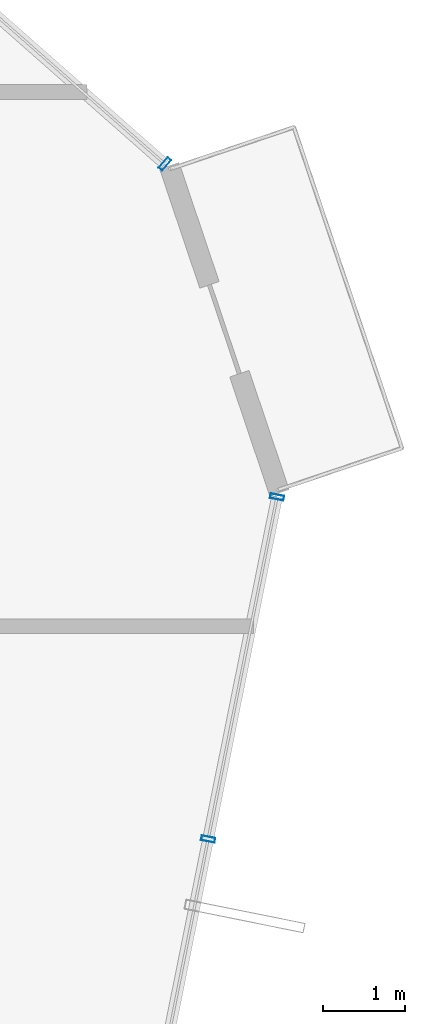
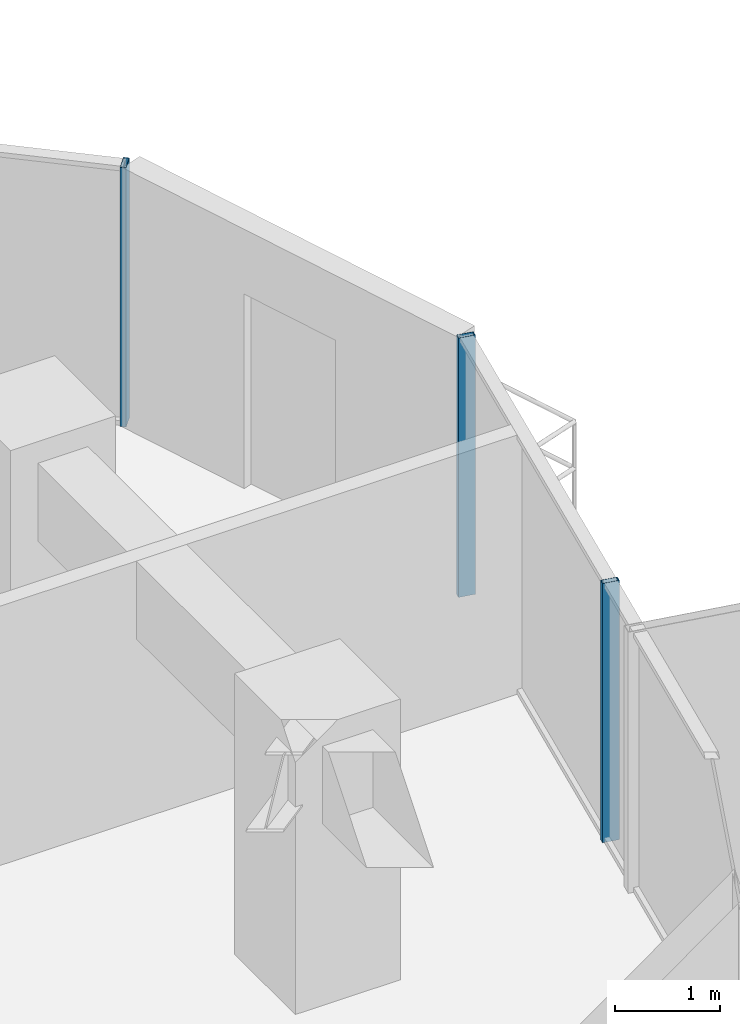
# One storey, part 19 of 32: 3 members, 2 elements without a shape of their own.
"""IFC4 building model written with IfcOpenShell, lengths in metres."""

import ifcopenshell
import ifcopenshell.guid

model = None  # the IFC model being written
_history = None  # IfcOwnerHistory: only IFC2X3 demands one
_inside = {}  # id of a spatial element -> (the spatial element, [elements in it])
_under = {}  # id of a project, library or spatial element -> (it, [spatial elements below it])
_declared = {}  # id of a project -> (the project, [libraries it declares])
_typed = {}  # id of a type object -> (the type object, [elements of that type])
_made_of = {}  # id of a material, layer set ... -> (it, [elements and type objects made of it])


def new_model(schema):
    """Start an empty IFC model of exactly this schema.

    Asked for "IFC4X3", IfcOpenShell would pick the latest addendum, in which some entities
    have other attributes; the version numbers below select the first issue.
    IFC2X3 requires an IfcOwnerHistory on every rooted entity: one is made here for all.
    """
    global model, _history
    if schema == "IFC4X3":
        model = ifcopenshell.file(schema_version=(4, 3, 0, 0))
    else:
        model = ifcopenshell.file(schema=schema)
    _inside.clear()
    _under.clear()
    _declared.clear()
    _typed.clear()
    _made_of.clear()
    _history = None
    if model.schema == "IFC2X3":
        org = make("IfcOrganization", Name="unknown")
        user = make(
            "IfcPersonAndOrganization",
            ThePerson=make("IfcPerson", FamilyName="unknown"),
            TheOrganization=org,
        )
        app = make(
            "IfcApplication",
            ApplicationDeveloper=org,
            Version="unknown",
            ApplicationFullName="unknown",
            ApplicationIdentifier="unknown",
        )
        _history = make(
            "IfcOwnerHistory",
            OwningUser=user,
            OwningApplication=app,
            ChangeAction="ADDED",
            CreationDate=0,
        )
    return model


def make(cls, **values):
    """One entity of the class cls with the attributes given. An attribute that is None is left unset."""
    return model.create_entity(
        cls, **{name: value for name, value in values.items() if value is not None}
    )


def rooted(cls, **values):
    """An entity with a GlobalId (a new one), such as an element, a storey or a relation."""
    return make(cls, GlobalId=ifcopenshell.guid.new(), OwnerHistory=_history, **values)


def si_unit(unit_type, name, prefix=None):
    """IfcSIUnit, for example si_unit("LENGTHUNIT", "METRE", prefix="MILLI")."""
    return make("IfcSIUnit", UnitType=unit_type, Prefix=prefix, Name=name)


def assignment(units):
    """IfcUnitAssignment: the units of a project."""
    return None if units is None else make("IfcUnitAssignment", Units=units)


def point(xyz):
    """IfcCartesianPoint."""
    return None if xyz is None else make("IfcCartesianPoint", Coordinates=xyz)


def direction(xyz):
    """IfcDirection."""
    return None if xyz is None else make("IfcDirection", DirectionRatios=xyz)


def frame(location, z_axis=None, x_axis=None):
    """IfcAxis2Placement3D, a coordinate frame: its origin and axes. An axis left out is left unset."""
    return make(
        "IfcAxis2Placement3D",
        Location=point(location),
        Axis=direction(z_axis),
        RefDirection=direction(x_axis),
    )


def frame_2d(location, x_axis=None):
    """IfcAxis2Placement2D, a coordinate frame in the plane: its origin and x axis."""
    return make(
        "IfcAxis2Placement2D", Location=point(location), RefDirection=direction(x_axis)
    )


def origin():
    """The frame at (0, 0, 0) with its axes left unset."""
    return frame((0.0, 0.0, 0.0))


def origin_2d():
    """The frame at (0, 0) in the plane with its x axis left unset."""
    return frame_2d((0.0, 0.0))


def place(relative_to, where):
    """IfcLocalPlacement: puts the frame where relative to a parent placement (None: the world)."""
    return make(
        "IfcLocalPlacement", PlacementRelTo=relative_to, RelativePlacement=where
    )


def context(
    kind, dimensions, precision=None, world=None, true_north=None, identifier=None
):
    """IfcGeometricRepresentationContext, for example the 3D "Model" context."""
    return make(
        "IfcGeometricRepresentationContext",
        ContextIdentifier=identifier,
        ContextType=kind,
        CoordinateSpaceDimension=dimensions,
        Precision=precision,
        WorldCoordinateSystem=world,
        TrueNorth=true_north,
    )


def subcontext(parent, identifier, kind, view, scale=None):
    """IfcGeometricRepresentationSubContext, for example "Body" below "Model"."""
    return make(
        "IfcGeometricRepresentationSubContext",
        ContextIdentifier=identifier,
        ContextType=kind,
        ParentContext=parent,
        TargetScale=scale,
        TargetView=view,
    )


def project(units=None, contexts=None):
    """IfcProject with its units and contexts."""
    return rooted(
        "IfcProject",
        Name="project",
        RepresentationContexts=contexts,
        UnitsInContext=assignment(units),
    )


def spatial(cls, under=None, at=None, **own):
    """A site, building, storey or space (cls), placed at a placement, below another one or the project."""
    s = rooted(cls, ObjectPlacement=at, **own)
    if under is not None:
        _under.setdefault(under.id(), (under, []))[1].append(s)
    return s


def profile(cls, at=None, kind="AREA", **sizes):
    """A parametric profile (cls). Its sizes go by their IFC names, for example OverallWidth=200.0."""
    return make(cls, ProfileType=kind, Position=at, **sizes)


def hollow_rectangle(**sizes):
    """IfcRectangleHollowProfileDef."""
    return profile("IfcRectangleHollowProfileDef", **sizes)


def extrude(swept, where, along, depth):
    """IfcExtrudedAreaSolid: the profile swept, set in the frame where, extruded along a direction by depth."""
    return make(
        "IfcExtrudedAreaSolid",
        SweptArea=swept,
        Position=where,
        ExtrudedDirection=direction(along),
        Depth=depth,
    )


def shape(context_of_items, identifier, shape_type, items):
    """IfcShapeRepresentation: the items that make up one representation, for example the "Body"."""
    return make(
        "IfcShapeRepresentation",
        ContextOfItems=context_of_items,
        RepresentationIdentifier=identifier,
        RepresentationType=shape_type,
        Items=items,
    )


def source(mapping_origin, context_of_items, identifier, shape_type, items):
    """IfcRepresentationMap: a shape defined once, which mapped items show again and again."""
    return make(
        "IfcRepresentationMap",
        MappingOrigin=mapping_origin,
        MappedRepresentation=shape(context_of_items, identifier, shape_type, items),
    )


def transform(
    local_origin,
    x_axis=None,
    y_axis=None,
    z_axis=None,
    scale=None,
    scale2=None,
    scale3=None,
    uniform=True,
):
    """IfcCartesianTransformationOperator3D, or its non-uniform kind. x_axis, y_axis, z_axis: its Axis1, 2, 3."""
    if uniform:
        return make(
            "IfcCartesianTransformationOperator3D",
            Axis1=direction(x_axis),
            Axis2=direction(y_axis),
            LocalOrigin=point(local_origin),
            Scale=scale,
            Axis3=direction(z_axis),
        )
    return make(
        "IfcCartesianTransformationOperator3DnonUniform",
        Axis1=direction(x_axis),
        Axis2=direction(y_axis),
        LocalOrigin=point(local_origin),
        Scale=scale,
        Axis3=direction(z_axis),
        Scale2=scale2,
        Scale3=scale3,
    )


def mapped(mapping_source, mapping_target):
    """IfcMappedItem: shows the shape of a source again, moved by a transform."""
    return make(
        "IfcMappedItem", MappingSource=mapping_source, MappingTarget=mapping_target
    )


def material(Name=None, Category=None):
    """IfcMaterial."""
    return make("IfcMaterial", Name=Name, Category=Category)


def layer(
    of_material, thickness, ventilated=None, Name=None, Category=None, Priority=None
):
    """IfcMaterialLayer: one layer of a wall or slab, of a material (None: an air gap)."""
    return make(
        "IfcMaterialLayer",
        Material=of_material,
        LayerThickness=thickness,
        IsVentilated=ventilated,
        Name=Name,
        Category=Category,
        Priority=Priority,
    )


def layer_set(layers, Name=None):
    """IfcMaterialLayerSet."""
    return make("IfcMaterialLayerSet", MaterialLayers=layers, LayerSetName=Name)


def material_profile(
    of_material, cross_section, Name=None, Category=None, Priority=None
):
    """IfcMaterialProfile: a cross section and its material."""
    return make(
        "IfcMaterialProfile",
        Name=Name,
        Material=of_material,
        Profile=cross_section,
        Priority=Priority,
        Category=Category,
    )


def profile_set(profiles, Name=None, composite=None):
    """IfcMaterialProfileSet."""
    return make(
        "IfcMaterialProfileSet",
        Name=Name,
        MaterialProfiles=profiles,
        CompositeProfile=composite,
    )


def made_of(thing, what):
    """Note that an element or type object is made of a material, layer set ...; save() writes the relation."""
    if what is not None:
        _made_of.setdefault(what.id(), (what, []))[1].append(thing)
    return thing


def type_object(cls, material=None, **own):
    """A type object (cls), such as IfcWallType, which elements share."""
    return made_of(rooted(cls, **own), material)


def element(
    cls,
    number,
    at=None,
    inside=None,
    cuts=None,
    type_object=None,
    material=None,
    context=None,
    identifier="Body",
    shape_type=None,
    held_by="IfcProductDefinitionShape",
    body=None,
    shapes=None,
    **own,
):
    """One element of the class cls, such as IfcWall. Its Tag is "e" and its number.

    at: its placement. inside: the storey or other place that contains it. cuts: it is an
    opening in that element (IfcRelVoidsElement). A single representation is given by context,
    identifier, shape_type and body (its items); several are given by shapes. held_by: the class
    of the entity that holds the representations. save() writes the other relations.
    """
    e = rooted(cls, Tag="e%d" % number, ObjectPlacement=at, **own)
    if body is not None:
        shapes = [shape(context, identifier, shape_type, body)]
    if shapes is not None:
        e.Representation = make(held_by, Representations=shapes)
    if inside is not None:
        _inside.setdefault(inside.id(), (inside, []))[1].append(e)
    if cuts is not None:
        rooted(
            "IfcRelVoidsElement", RelatingBuildingElement=cuts, RelatedOpeningElement=e
        )
    if type_object is not None:
        _typed.setdefault(type_object.id(), (type_object, []))[1].append(e)
    return made_of(e, material)


def aggregate(whole, parts):
    """IfcRelAggregates: a whole, such as a stair, and the parts it consists of."""
    return rooted("IfcRelAggregates", RelatingObject=whole, RelatedObjects=parts)


def save(model, path):
    """Write the relations noted so far, then the file.

    IfcRelAggregates (storeys below a building ...), IfcRelContainedInSpatialStructure (elements
    in a storey), IfcRelDefinesByType, IfcRelAssociatesMaterial and IfcRelDeclares: one each for
    every whole, place, type object, material and project.
    """
    for whole, parts in _under.values():
        aggregate(whole, parts)
    for where, things in _inside.values():
        rooted(
            "IfcRelContainedInSpatialStructure",
            RelatedElements=things,
            RelatingStructure=where,
        )
    for kind, things in _typed.values():
        rooted("IfcRelDefinesByType", RelatedObjects=things, RelatingType=kind)
    for what, things in _made_of.values():
        rooted("IfcRelAssociatesMaterial", RelatedObjects=things, RelatingMaterial=what)
    for by, libraries in _declared.values():
        rooted("IfcRelDeclares", RelatingContext=by, RelatedDefinitions=libraries)
    model.write(path)


model = new_model("IFC4")

# Units and contexts
model_context = context("Model", 3, precision=1e-05, world=origin(), true_north=direction((0.0, 1.0)))
body_context = subcontext(model_context, "Body", "Model", "MODEL_VIEW")
ifc_project = project(units=[si_unit("LENGTHUNIT", "METRE"), si_unit("AREAUNIT", "SQUARE_METRE"), si_unit("VOLUMEUNIT", "CUBIC_METRE"), si_unit("PLANEANGLEUNIT", "RADIAN"), si_unit("MASSUNIT", "GRAM", prefix="KILO")], contexts=[model_context])

# Site, building, storey
site_placement = place(None, origin())
site = spatial("IfcSite", under=ifc_project, at=site_placement, CompositionType="ELEMENT")
building_placement = place(site_placement, origin())
building = spatial("IfcBuilding", under=site, at=building_placement, Name="Veraguas Prism Commons", CompositionType="ELEMENT")
storey_placement = place(building_placement, frame((0.0, 0.0, 89.449951171875)))
storey = spatial("IfcBuildingStorey", under=building, at=storey_placement, Name="L24", CompositionType="ELEMENT", Elevation=89.449951171875)

# Curtain wall, member
ifc_material = material(Name="Anodised aluminium EN AW-6063 T6", Category="aluminium")
ifc_layer = layer(ifc_material, 0.169921875, Name="Unitised Flush Curtain Wall Zone 2", Category="aluminium")
ifc_layer_set = layer_set([ifc_layer], Name="Anodised aluminium EN AW-6063 T6")
curtain_wall_type = type_object("IfcCurtainWallType", Name="Unitised Flush Curtain Wall Zone 2", PredefinedType="NOTDEFINED", material=ifc_layer_set)
curtain_wall_1_placement = place(storey_placement, origin())
curtain_wall_1 = element("IfcCurtainWall", 1, at=curtain_wall_1_placement, inside=storey, type_object=curtain_wall_type, Name="Tower Facade Curtain Wall L24-F1", PredefinedType="NOTDEFINED")
ifc_material_profile = material_profile(ifc_material, hollow_rectangle(XDim=0.06005859375, YDim=0.169921875, WallThickness=0.00390625, at=origin_2d()), Name="AL60X170X4")
ifc_profile_set = profile_set([ifc_material_profile], Name="Anodised aluminium EN AW-6063 T6")
member_type = type_object("IfcMemberType", Name="Curtain Wall Mullion Lower AL 60x170x4", PredefinedType="MULLION", material=ifc_profile_set)
shared_shape = source(origin(), body_context, "Body", "SweptSolid", [
    extrude(hollow_rectangle(XDim=0.06005859375, YDim=0.169921875, WallThickness=0.00390625, at=origin_2d()), origin(), (0.0, 0.0, 1.0), 3.0),
])
member_1_placement = place(storey_placement, frame((43.123779296875, 32.716796875, 0.0), z_axis=(0.0, 0.0, 1.0), x_axis=(-0.750341865315, 0.661049986881, 0.0)))
member_1 = element("IfcMember", 2, at=member_1_placement, type_object=member_type, Name="CW-Z2 Mullion 1", PredefinedType="MULLION", context=body_context, shape_type="MappedRepresentation", body=[
    mapped(shared_shape, transform((0.0, 0.0, 0.0), scale=1.0)),
])
aggregate(curtain_wall_1, [member_1])

# Curtain wall, members
curtain_wall_2_placement = place(storey_placement, origin())
curtain_wall_2 = element("IfcCurtainWall", 3, at=curtain_wall_2_placement, inside=storey, type_object=curtain_wall_type, Name="Tower Facade Curtain Wall L24-F6", PredefinedType="NOTDEFINED")
member_2_placement = place(storey_placement, frame((43.655517578125, 24.43896484375, 0.0), z_axis=(0.0, 0.0, 1.0), x_axis=(0.197320282199, 0.980339077173, 0.0)))
member_2 = element("IfcMember", 4, at=member_2_placement, type_object=member_type, Name="CW-Z2 Mullion 4", PredefinedType="MULLION", context=body_context, shape_type="MappedRepresentation", body=[
    mapped(shared_shape, transform((0.0, 0.0, 0.0), scale=1.0)),
])
member_3_placement = place(storey_placement, frame((44.499755859375, 28.63330078125, 0.0), z_axis=(0.0, 0.0, 1.0), x_axis=(0.197320282199, 0.980339077173, 0.0)))
member_3 = element("IfcMember", 5, at=member_3_placement, type_object=member_type, Name="CW-Z2 Mullion 5", PredefinedType="MULLION", context=body_context, shape_type="MappedRepresentation", body=[
    mapped(shared_shape, transform((0.0, 0.0, 0.0), scale=1.0)),
])
aggregate(curtain_wall_2, [member_2, member_3])

save(model, "model.ifc")
